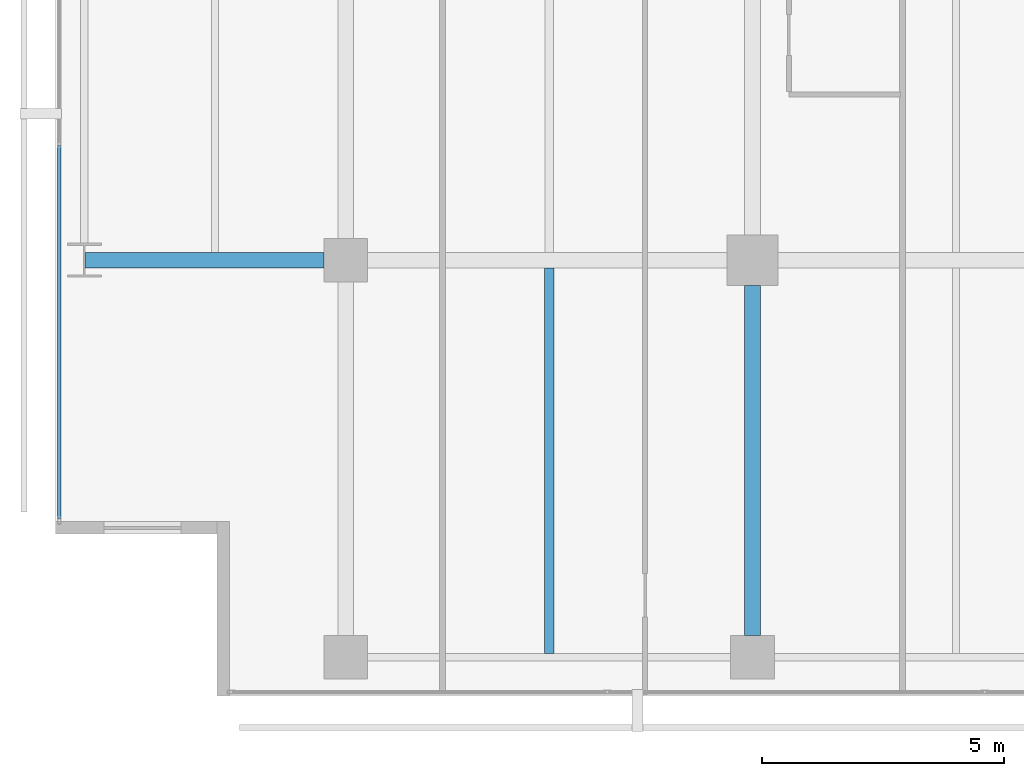
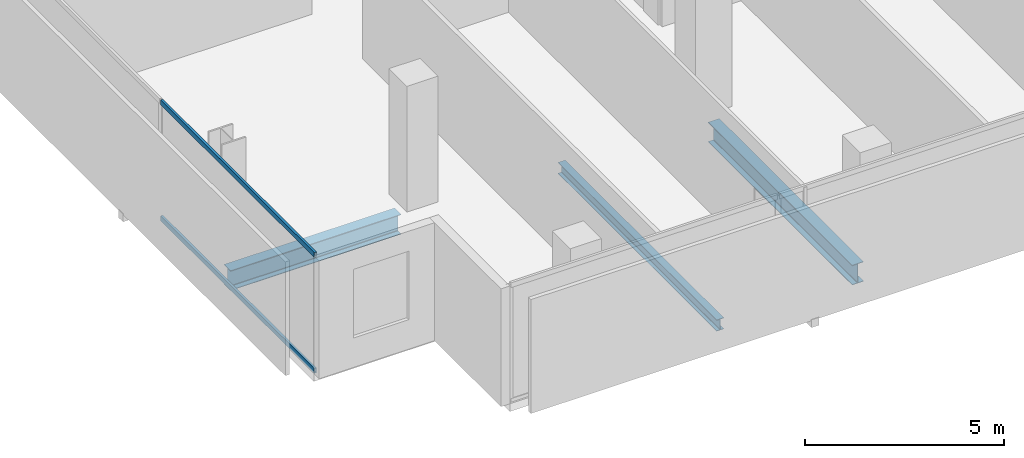
# One storey, part 4 of 40: 3 beams, 2 members, 1 element without a shape of its own.
"""IFC4 building model written with IfcOpenShell, lengths in metres."""

from ifc_helpers import new_model, si_unit, direction, frame, origin, origin_2d, place, context, subcontext, project, spatial, hollow_rectangle, i_section, extrude, material, layer, layer_set, material_profile, profile_set, type_object, element, aggregate, save


model = new_model("IFC4")

# Units and contexts
model_context = context("Model", 3, precision=1e-05, world=origin(), true_north=direction((0.0, 1.0)))
body_context = subcontext(model_context, "Body", "Model", "MODEL_VIEW")
ifc_project = project(units=[si_unit("LENGTHUNIT", "METRE"), si_unit("AREAUNIT", "SQUARE_METRE"), si_unit("VOLUMEUNIT", "CUBIC_METRE"), si_unit("PLANEANGLEUNIT", "RADIAN"), si_unit("MASSUNIT", "GRAM", prefix="KILO")], contexts=[model_context])

# Site, building, storey
site_placement = place(None, origin())
site = spatial("IfcSite", under=ifc_project, at=site_placement, CompositionType="ELEMENT")
building_placement = place(site_placement, origin())
building = spatial("IfcBuilding", under=site, at=building_placement, Name="Maruvema Waterfront Hotel and Observation Tower", CompositionType="ELEMENT")
storey_placement = place(building_placement, frame((0.0, 0.0, 107.800048828125)))
storey = spatial("IfcBuildingStorey", under=building, at=storey_placement, Name="L26", CompositionType="ELEMENT", Elevation=107.800048828125)

# Curtain wall, members
ifc_material_1 = material(Name="Anodised bronze aluminium and solar-control low-E IGU", Category="aluminium")
ifc_layer = layer(ifc_material_1, 0.159912109375, Name="Zone 1 Bronze Inner Thermal Curtain Wall System CW-02")
ifc_layer_set = layer_set([ifc_layer], Name="Anodised bronze aluminium and solar-control low-E IGU")
curtain_wall_type = type_object("IfcCurtainWallType", Name="Zone 1 Bronze Inner Thermal Curtain Wall System CW-02", PredefinedType="USERDEFINED", material=ifc_layer_set)
curtain_wall_placement = place(storey_placement, origin())
curtain_wall = element("IfcCurtainWall", 1, at=curtain_wall_placement, inside=storey, type_object=curtain_wall_type, Name="L26 Curtain Wall CW-L26-W", ObjectType="UNITISED CURTAIN WALL", PredefinedType="USERDEFINED")
ifc_material_2 = material(Name="Anodised architectural bronze aluminium", Category="aluminium")
ifc_material_profile_1 = material_profile(ifc_material_2, hollow_rectangle(XDim=0.070068359375, YDim=0.14990234375, WallThickness=0.00390625, at=origin_2d()), Name="ALU-T70x150")
ifc_profile_set_1 = profile_set([ifc_material_profile_1], Name="Anodised architectural bronze aluminium")
member_type = type_object("IfcMemberType", Name="Curtain Wall Horizontal Transom ALU-T70x150", PredefinedType="USERDEFINED", material=ifc_profile_set_1)
member_1_placement = place(storey_placement, frame((10.8798828125, 11.3701171875, 0.030029296875), z_axis=(0.0, -1.0, 0.0), x_axis=(1.0, 0.0, 0.0)))
member_1 = element("IfcMember", 2, at=member_1_placement, type_object=member_type, Name="CW-02 transom 6.1", ObjectType="TRANSOM", PredefinedType="USERDEFINED", context=body_context, shape_type="SweptSolid", body=[
    extrude(hollow_rectangle(XDim=0.070068359375, YDim=0.14990234375, WallThickness=0.00390625, at=origin_2d()), origin(), (0.0, 0.0, 1.0), 7.710205078125),
])
member_2_placement = place(storey_placement, frame((10.8798828125, 11.3701171875, 3.579833984375), z_axis=(0.0, -1.0, 0.0), x_axis=(1.0, 0.0, 0.0)))
member_2 = element("IfcMember", 3, at=member_2_placement, type_object=member_type, Name="CW-02 transom 6.2", ObjectType="TRANSOM", PredefinedType="USERDEFINED", context=body_context, shape_type="SweptSolid", body=[
    extrude(hollow_rectangle(XDim=0.070068359375, YDim=0.14990234375, WallThickness=0.00390625, at=origin_2d()), origin(), (0.0, 0.0, 1.0), 7.710205078125),
])
aggregate(curtain_wall, [member_1, member_2])

# Beams
ifc_material_3 = material(Name="Steel ASTM A572 Grade 50", Category="steel")
ifc_material_profile_2 = material_profile(ifc_material_3, i_section(OverallWidth=0.323974609375, OverallDepth=0.611083984375, WebThickness=0.0126953125, FlangeThickness=0.01904296875, FilletRadius=0.01806640625, at=origin_2d()), Name="W610x155.0")
ifc_profile_set_2 = profile_set([ifc_material_profile_2], Name="Steel ASTM A572 Grade 50")
beam_type_1 = type_object("IfcBeamType", Name="Primary Floor Girder W610x155.0", PredefinedType="BEAM", material=ifc_profile_set_2)
beam_1_placement = place(storey_placement, frame((11.4140625, 9.0, -0.545654296875), z_axis=(1.0, 0.0, 0.0), x_axis=(0.0, 1.0, 0.0)))
element("IfcBeam", 4, at=beam_1_placement, inside=storey, type_object=beam_type_1, Name="L26 Floor Girder EW-06", PredefinedType="BEAM", context=body_context, shape_type="SweptSolid", body=[
    extrude(i_section(OverallWidth=0.323974609375, OverallDepth=0.611083984375, WebThickness=0.0126953125, FlangeThickness=0.01904296875, FilletRadius=0.01806640625, at=origin_2d()), origin(), (0.0, 0.0, 1.0), 4.93603515625),
])
beam_2_placement = place(storey_placement, frame((25.199951171875, 1.25, -0.545654296875), z_axis=(0.0, 1.0, 0.0), x_axis=(-1.0, 0.0, 0.0)))
element("IfcBeam", 5, at=beam_2_placement, inside=storey, type_object=beam_type_1, Name="L26 Floor Girder NS-11", PredefinedType="BEAM", context=body_context, shape_type="SweptSolid", body=[
    extrude(i_section(OverallWidth=0.323974609375, OverallDepth=0.611083984375, WebThickness=0.0126953125, FlangeThickness=0.01904296875, FilletRadius=0.01806640625, at=origin_2d()), origin(), (0.0, 0.0, 1.0), 7.22509765625),
])
ifc_material_4 = material(Name="Steel ASTM A572 Grade 50", Category="steel")
ifc_material_profile_3 = material_profile(ifc_material_4, i_section(OverallWidth=0.202880859375, OverallDepth=0.346923828125, WebThickness=0.0078125, FlangeThickness=0.013427734375, FilletRadius=0.014892578125, at=origin_2d()), Name="W360x64.0")
ifc_profile_set_3 = profile_set([ifc_material_profile_3], Name="Steel ASTM A572 Grade 50")
beam_type_2 = type_object("IfcBeamType", Name="Secondary Floor Joist W360x64.0", PredefinedType="JOIST", material=ifc_profile_set_3)
beam_3_placement = place(storey_placement, frame((21.0, 0.87646484375, -0.41357421875), z_axis=(0.0, 1.0, 0.0), x_axis=(-1.0, 0.0, 0.0)))
element("IfcBeam", 6, at=beam_3_placement, inside=storey, type_object=beam_type_2, Name="L26 Secondary Floor Joist JS-05", PredefinedType="JOIST", context=body_context, shape_type="SweptSolid", body=[
    extrude(i_section(OverallWidth=0.202880859375, OverallDepth=0.346923828125, WebThickness=0.0078125, FlangeThickness=0.013427734375, FilletRadius=0.014892578125, at=origin_2d()), origin(), (0.0, 0.0, 1.0), 7.96142578125),
])

save(model, "model.ifc")
